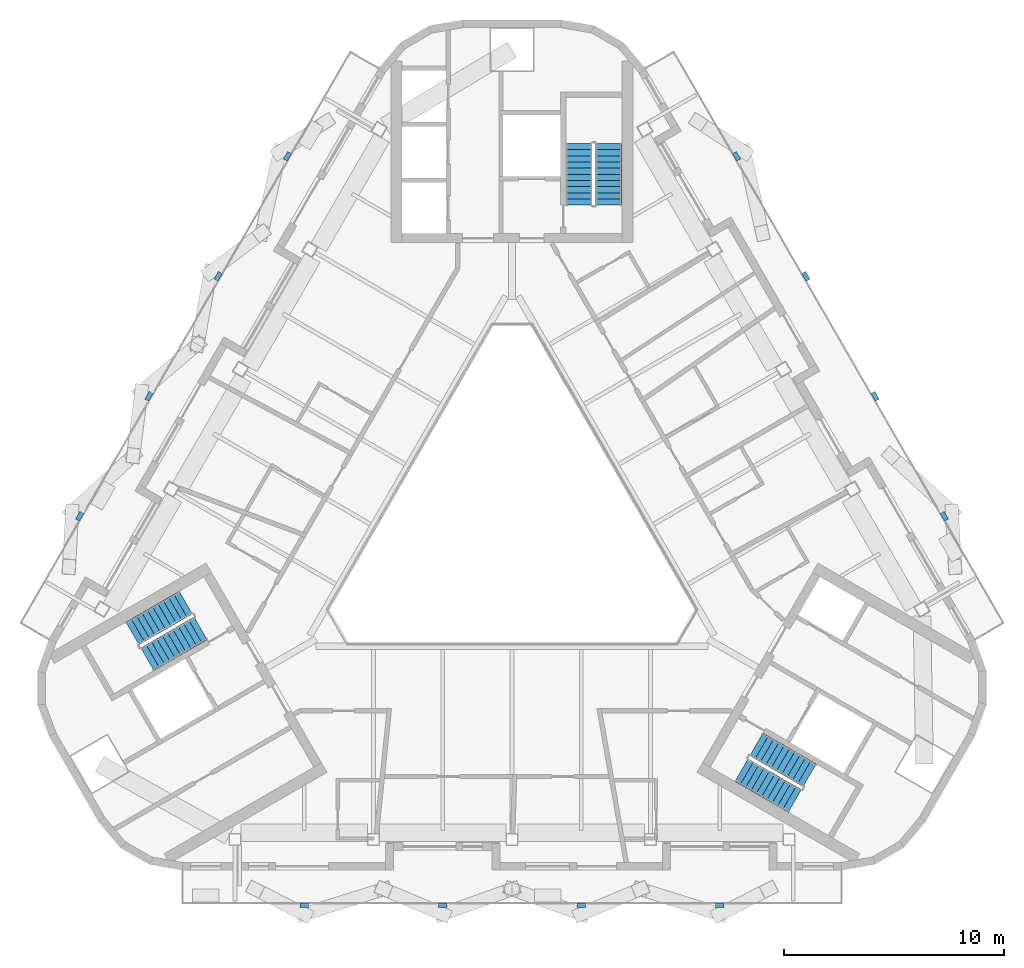
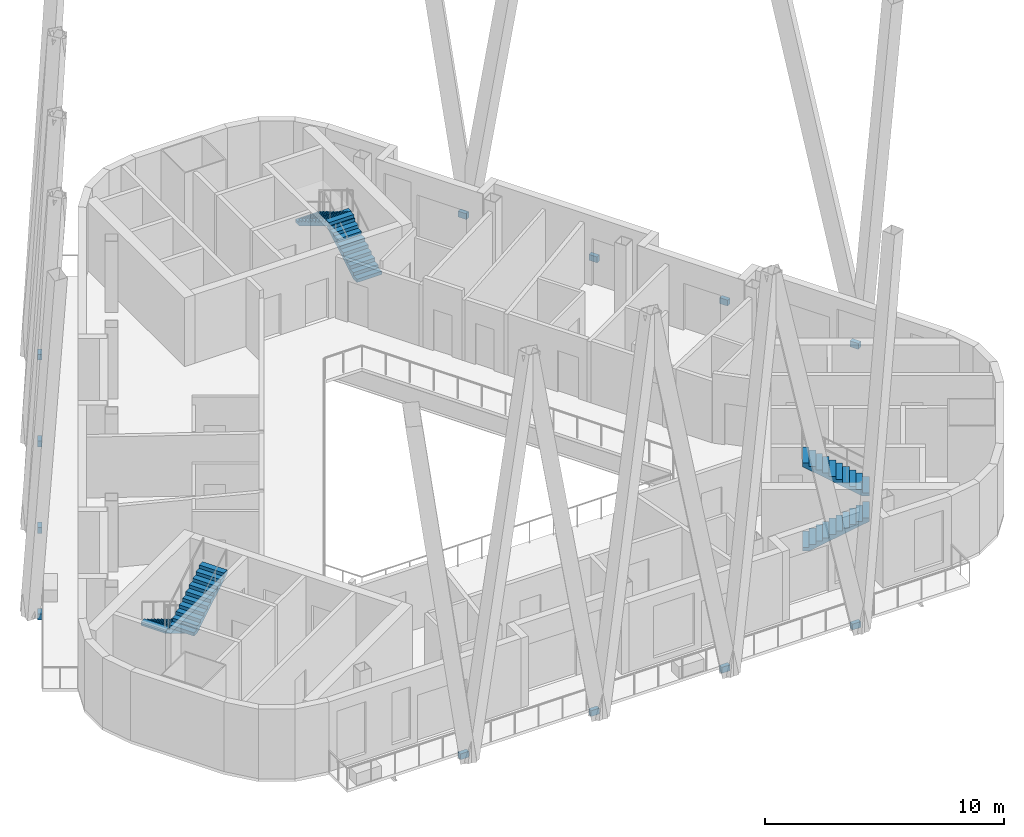
# One storey, part 7 of 12: 12 discrete accessories, 6 stair flights, 3 elements without a shape of their own.
"""IFC4 building model written with IfcOpenShell, lengths in metres."""

from ifc_helpers import new_model, si_unit, direction, frame, origin, origin_2d, place, context, subcontext, project, spatial, polyline, rectangle, outline, extrude, material, type_object, element, aggregate, save


model = new_model("IFC4")

# Units and contexts
model_context = context("Model", 3, precision=1e-05, world=origin(), true_north=direction((0.0, 1.0)))
body_context = subcontext(model_context, "Body", "Model", "MODEL_VIEW")
ifc_project = project(units=[si_unit("LENGTHUNIT", "METRE"), si_unit("AREAUNIT", "SQUARE_METRE"), si_unit("VOLUMEUNIT", "CUBIC_METRE"), si_unit("PLANEANGLEUNIT", "RADIAN"), si_unit("MASSUNIT", "GRAM", prefix="KILO")], contexts=[model_context])

# Site, building, storey
site_placement = place(None, origin())
site = spatial("IfcSite", under=ifc_project, at=site_placement, CompositionType="ELEMENT")
building_placement = place(site_placement, origin())
building = spatial("IfcBuilding", under=site, at=building_placement, Name="Apuvela Tower Hotel", CompositionType="ELEMENT")
storey_placement = place(building_placement, frame((0.0, 0.0, 324.39990234375)))
storey = spatial("IfcBuildingStorey", under=building, at=storey_placement, Name="L81", CompositionType="ELEMENT", Elevation=324.39990234375)

# Stair, stair flights
ifc_material_1 = material(Name="Concrete C50/60", Category="concrete")
stair_type = type_object("IfcStairType", Name="COR-STAIR-22R", PredefinedType="HALF_TURN_STAIR", material=ifc_material_1)
stair_1_placement = place(storey_placement, origin())
stair_1 = element("IfcStair", 1, at=stair_1_placement, inside=storey, type_object=stair_type, Name="L81 Exit stair ST1", PredefinedType="HALF_TURN_STAIR")
stair_flight_type = type_object("IfcStairFlightType", Name="COR-FLIGHT-11R", PredefinedType="STRAIGHT", material=ifc_material_1)
stair_flight_1_placement = place(storey_placement, frame((4.39990234375, 14.60009765625, 0.0), z_axis=(0.0, 0.0, 1.0), x_axis=(0.0, 1.0, 0.0)))
stair_flight_1 = element("IfcStairFlight", 2, at=stair_flight_1_placement, type_object=stair_flight_type, Name="ST1 flight 1", NumberOfRisers=11, NumberOfTreads=10, PredefinedType="STRAIGHT", RiserHeight=0.168181818, TreadLength=0.28, context=body_context, shape_type="SweptSolid", body=[
    extrude(outline(polyline([(0.0, 0.0), (0.0, 0.168212890625), (0.280029296875, 0.168212890625), (0.280029296875, 0.33642578125), (0.56005859375, 0.33642578125), (0.56005859375, 0.504638671875), (0.840087890625, 0.504638671875), (0.840087890625, 0.672607421875), (1.1201171875, 0.672607421875), (1.1201171875, 0.8408203125), (1.39990234375, 0.8408203125), (1.39990234375, 1.009033203125), (1.679931640625, 1.009033203125), (1.679931640625, 1.17724609375), (1.9599609375, 1.17724609375), (1.9599609375, 1.345458984375), (2.239990234375, 1.345458984375), (2.239990234375, 1.513671875), (2.52001953125, 1.513671875), (2.52001953125, 1.681884765625), (2.800048828125, 1.681884765625), (2.800048828125, 1.85009765625), (2.800048828125, 1.5068359375), (0.291015625, 0.0), (0.0, 0.0)])), frame((0.0, 0.60009765625, 0.0), z_axis=(0.0, -1.0, 0.0), x_axis=(1.0, 0.0, 0.0)), (0.0, 0.0, 1.0), 1.199951171875),
])
stair_flight_2_placement = place(storey_placement, frame((3.050048828125, 17.39990234375, 1.85009765625), z_axis=(0.0, 0.0, 1.0), x_axis=(0.0, -1.0, 0.0)))
stair_flight_2 = element("IfcStairFlight", 3, at=stair_flight_2_placement, type_object=stair_flight_type, Name="ST1 flight 2", NumberOfRisers=11, NumberOfTreads=10, PredefinedType="STRAIGHT", RiserHeight=0.168181818, TreadLength=0.28, context=body_context, shape_type="SweptSolid", body=[
    extrude(outline(polyline([(0.0, 0.0), (0.0, 0.168212890625), (0.280029296875, 0.168212890625), (0.280029296875, 0.33642578125), (0.56005859375, 0.33642578125), (0.56005859375, 0.504638671875), (0.840087890625, 0.504638671875), (0.840087890625, 0.672607421875), (1.1201171875, 0.672607421875), (1.1201171875, 0.8408203125), (1.39990234375, 0.8408203125), (1.39990234375, 1.009033203125), (1.679931640625, 1.009033203125), (1.679931640625, 1.17724609375), (1.9599609375, 1.17724609375), (1.9599609375, 1.345458984375), (2.239990234375, 1.345458984375), (2.239990234375, 1.513671875), (2.52001953125, 1.513671875), (2.52001953125, 1.681884765625), (2.800048828125, 1.681884765625), (2.800048828125, 1.85009765625), (2.800048828125, 1.5068359375), (0.291015625, 0.0), (0.0, 0.0)])), frame((0.0, 0.60009765625, 0.0), z_axis=(0.0, -1.0, 0.0), x_axis=(1.0, 0.0, 0.0)), (0.0, 0.0, 1.0), 1.199951171875),
])
aggregate(stair_1, [stair_flight_1, stair_flight_2])

stair_2_placement = place(storey_placement, origin())
stair_2 = element("IfcStair", 4, at=stair_2_placement, inside=storey, type_object=stair_type, Name="L81 Exit stair ST2", PredefinedType="HALF_TURN_STAIR")
stair_flight_3_placement = place(storey_placement, frame((-14.843994140625, -3.489501953125, 0.0), z_axis=(0.0, 0.0, 1.0), x_axis=(-0.866025403784, -0.5, 0.0)))
stair_flight_3 = element("IfcStairFlight", 5, at=stair_flight_3_placement, type_object=stair_flight_type, Name="ST2 flight 1", NumberOfRisers=11, NumberOfTreads=10, PredefinedType="STRAIGHT", RiserHeight=0.168181818, TreadLength=0.28, context=body_context, shape_type="SweptSolid", body=[
    extrude(outline(polyline([(0.0, 0.0), (0.0, 0.168212890625), (0.280029296875, 0.168212890625), (0.280029296875, 0.33642578125), (0.56005859375, 0.33642578125), (0.56005859375, 0.504638671875), (0.840087890625, 0.504638671875), (0.840087890625, 0.672607421875), (1.1201171875, 0.672607421875), (1.1201171875, 0.8408203125), (1.39990234375, 0.8408203125), (1.39990234375, 1.009033203125), (1.679931640625, 1.009033203125), (1.679931640625, 1.17724609375), (1.9599609375, 1.17724609375), (1.9599609375, 1.345458984375), (2.239990234375, 1.345458984375), (2.239990234375, 1.513671875), (2.52001953125, 1.513671875), (2.52001953125, 1.681884765625), (2.800048828125, 1.681884765625), (2.800048828125, 1.85009765625), (2.800048828125, 1.5068359375), (0.291015625, 0.0), (0.0, 0.0)])), frame((0.0, 0.60009765625, 0.0), z_axis=(0.0, -1.0, 0.0), x_axis=(1.0, 0.0, 0.0)), (0.0, 0.0, 1.0), 1.199951171875),
])
stair_flight_4_placement = place(storey_placement, frame((-16.59375, -6.05859375, 1.85009765625), z_axis=(0.0, 0.0, 1.0), x_axis=(0.866025403784, 0.5, 0.0)))
stair_flight_4 = element("IfcStairFlight", 6, at=stair_flight_4_placement, type_object=stair_flight_type, Name="ST2 flight 2", NumberOfRisers=11, NumberOfTreads=10, PredefinedType="STRAIGHT", RiserHeight=0.168181818, TreadLength=0.28, context=body_context, shape_type="SweptSolid", body=[
    extrude(outline(polyline([(0.0, 0.0), (0.0, 0.168212890625), (0.280029296875, 0.168212890625), (0.280029296875, 0.33642578125), (0.56005859375, 0.33642578125), (0.56005859375, 0.504638671875), (0.840087890625, 0.504638671875), (0.840087890625, 0.672607421875), (1.1201171875, 0.672607421875), (1.1201171875, 0.8408203125), (1.39990234375, 0.8408203125), (1.39990234375, 1.009033203125), (1.679931640625, 1.009033203125), (1.679931640625, 1.17724609375), (1.9599609375, 1.17724609375), (1.9599609375, 1.345458984375), (2.239990234375, 1.345458984375), (2.239990234375, 1.513671875), (2.52001953125, 1.513671875), (2.52001953125, 1.681884765625), (2.800048828125, 1.681884765625), (2.800048828125, 1.85009765625), (2.800048828125, 1.5068359375), (0.291015625, 0.0), (0.0, 0.0)])), frame((0.0, 0.60009765625, 0.0), z_axis=(0.0, -1.0, 0.0), x_axis=(1.0, 0.0, 0.0)), (0.0, 0.0, 1.0), 1.199951171875),
])
aggregate(stair_2, [stair_flight_3, stair_flight_4])

stair_3_placement = place(storey_placement, origin())
stair_3 = element("IfcStair", 7, at=stair_3_placement, inside=storey, type_object=stair_type, Name="L81 Exit stair ST3", PredefinedType="HALF_TURN_STAIR")
stair_flight_5_placement = place(storey_placement, frame((10.444091796875, -11.110595703125, 0.0), z_axis=(0.0, 0.0, 1.0), x_axis=(0.866025403784, -0.5, 0.0)))
stair_flight_5 = element("IfcStairFlight", 8, at=stair_flight_5_placement, type_object=stair_flight_type, Name="ST3 flight 1", NumberOfRisers=11, NumberOfTreads=10, PredefinedType="STRAIGHT", RiserHeight=0.168181818, TreadLength=0.28, context=body_context, shape_type="SweptSolid", body=[
    extrude(outline(polyline([(0.0, 0.0), (0.0, 0.168212890625), (0.280029296875, 0.168212890625), (0.280029296875, 0.33642578125), (0.56005859375, 0.33642578125), (0.56005859375, 0.504638671875), (0.840087890625, 0.504638671875), (0.840087890625, 0.672607421875), (1.1201171875, 0.672607421875), (1.1201171875, 0.8408203125), (1.39990234375, 0.8408203125), (1.39990234375, 1.009033203125), (1.679931640625, 1.009033203125), (1.679931640625, 1.17724609375), (1.9599609375, 1.17724609375), (1.9599609375, 1.345458984375), (2.239990234375, 1.345458984375), (2.239990234375, 1.513671875), (2.52001953125, 1.513671875), (2.52001953125, 1.681884765625), (2.800048828125, 1.681884765625), (2.800048828125, 1.85009765625), (2.800048828125, 1.5068359375), (0.291015625, 0.0), (0.0, 0.0)])), frame((0.0, 0.60009765625, 0.0), z_axis=(0.0, -1.0, 0.0), x_axis=(1.0, 0.0, 0.0)), (0.0, 0.0, 1.0), 1.199951171875),
])
stair_flight_6_placement = place(storey_placement, frame((13.5439453125, -11.34130859375, 1.85009765625), z_axis=(0.0, 0.0, 1.0), x_axis=(-0.866025403784, 0.5, 0.0)))
stair_flight_6 = element("IfcStairFlight", 9, at=stair_flight_6_placement, type_object=stair_flight_type, Name="ST3 flight 2", NumberOfRisers=11, NumberOfTreads=10, PredefinedType="STRAIGHT", RiserHeight=0.168181818, TreadLength=0.28, context=body_context, shape_type="SweptSolid", body=[
    extrude(outline(polyline([(0.0, 0.0), (0.0, 0.168212890625), (0.280029296875, 0.168212890625), (0.280029296875, 0.33642578125), (0.56005859375, 0.33642578125), (0.56005859375, 0.504638671875), (0.840087890625, 0.504638671875), (0.840087890625, 0.672607421875), (1.1201171875, 0.672607421875), (1.1201171875, 0.8408203125), (1.39990234375, 0.8408203125), (1.39990234375, 1.009033203125), (1.679931640625, 1.009033203125), (1.679931640625, 1.17724609375), (1.9599609375, 1.17724609375), (1.9599609375, 1.345458984375), (2.239990234375, 1.345458984375), (2.239990234375, 1.513671875), (2.52001953125, 1.513671875), (2.52001953125, 1.681884765625), (2.800048828125, 1.681884765625), (2.800048828125, 1.85009765625), (2.800048828125, 1.5068359375), (0.291015625, 0.0), (0.0, 0.0)])), frame((0.0, 0.60009765625, 0.0), z_axis=(0.0, -1.0, 0.0), x_axis=(1.0, 0.0, 0.0)), (0.0, 0.0, 1.0), 1.199951171875),
])
aggregate(stair_3, [stair_flight_5, stair_flight_6])

# Discrete accessories
ifc_material_2 = material(Name="Steel S355, black paint system", Category="steel")
discrete_accessory_type = type_object("IfcDiscreteAccessoryType", Name="ENV-FIN-BRACKET", PredefinedType="BRACKET", material=ifc_material_2)
for number, where, z_axis, x_axis, name in (
    (10, (19.6748046875, 0.443115234375, -0.25), (0.0, 0.0, 1.0), (-0.5, 0.866025403784, 0.0), "Fin bracket NE142"),
    (11, (16.5234375, 5.901123046875, -0.25), (0.0, 0.0, 1.0), (-0.5, 0.866025403784, 0.0), "Fin bracket NE143"),
    (12, (13.372314453125, 11.359130859375, -0.25), (0.0, 0.0, 1.0), (-0.5, 0.866025403784, 0.0), "Fin bracket NE144"),
    (13, (10.22119140625, 16.8173828125, -0.25), (0.0, 0.0, 1.0), (-0.5, 0.866025403784, 0.0), "Fin bracket NE145"),
    (14, (-10.22119140625, 16.8173828125, -0.25), (0.0, 0.0, 1.0), (-0.5, -0.866025403784, 0.0), "Fin bracket NW291"),
    (15, (-13.372314453125, 11.359130859375, -0.25), (0.0, 0.0, 1.0), (-0.5, -0.866025403784, 0.0), "Fin bracket NW292"),
    (16, (-16.5234375, 5.901123046875, -0.25), (0.0, 0.0, 1.0), (-0.5, -0.866025403784, 0.0), "Fin bracket NW293"),
    (17, (-19.6748046875, 0.443115234375, -0.25), (0.0, 0.0, 1.0), (-0.5, -0.866025403784, 0.0), "Fin bracket NW294"),
    (18, (-9.45361328125, -17.260498046875, -0.25), (0.0, 0.0, 1.0), (1.0, 0.0, 0.0), "Fin bracket S441"),
    (19, (-3.151123046875, -17.260498046875, -0.25), (0.0, 0.0, 1.0), (1.0, 0.0, 0.0), "Fin bracket S442"),
    (20, (3.151123046875, -17.260498046875, -0.25), (0.0, 0.0, 1.0), (1.0, 0.0, 0.0), "Fin bracket S443"),
    (21, (9.45361328125, -17.260498046875, -0.25), (0.0, 0.0, 1.0), (1.0, 0.0, 0.0), "Fin bracket S444"),
):
    element("IfcDiscreteAccessory", number, at=place(storey_placement, frame(where, z_axis=z_axis, x_axis=x_axis)), inside=storey, type_object=discrete_accessory_type, Name=name, PredefinedType="BRACKET", context=body_context, shape_type="SweptSolid", body=[
        extrude(rectangle(XDim=0.39990234375, YDim=0.199951171875, at=origin_2d()), origin(), (0.0, 0.0, 1.0), 0.300048828125),
    ])

save(model, "model.ifc")
